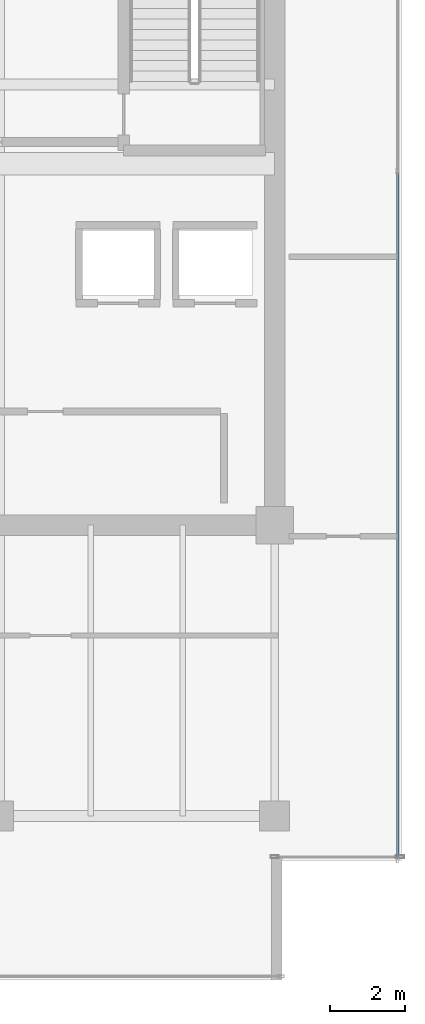
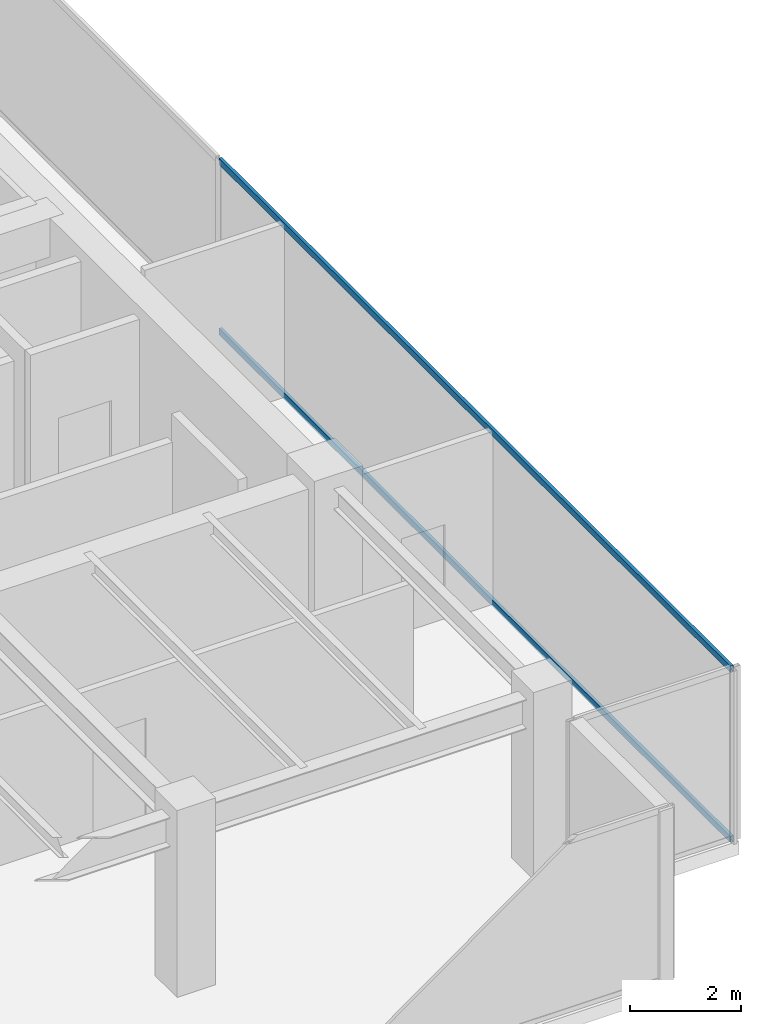
# One storey, part 23 of 33: 2 members, 1 element without a shape of its own.
"""IFC4 building model written with IfcOpenShell, lengths in metres."""

from ifc_helpers import new_model, si_unit, direction, frame, origin, origin_2d, place, context, subcontext, project, spatial, hollow_rectangle, extrude, source, transform, mapped, material, layer, layer_set, material_profile, profile_set, type_object, type_shapes, element, aggregate, save


model = new_model("IFC4")

# Units and contexts
model_context = context("Model", 3, precision=1e-05, world=origin(), true_north=direction((0.0, 1.0)))
body_context = subcontext(model_context, "Body", "Model", "MODEL_VIEW")
ifc_project = project(units=[si_unit("LENGTHUNIT", "METRE"), si_unit("AREAUNIT", "SQUARE_METRE"), si_unit("VOLUMEUNIT", "CUBIC_METRE"), si_unit("PLANEANGLEUNIT", "RADIAN"), si_unit("MASSUNIT", "GRAM", prefix="KILO")], contexts=[model_context])

# Site, building, storey
site_placement = place(None, origin())
site = spatial("IfcSite", under=ifc_project, at=site_placement, CompositionType="ELEMENT")
building_placement = place(site_placement, origin())
building = spatial("IfcBuilding", under=site, at=building_placement, Name="Haelvirn Gate Laboratories", CompositionType="ELEMENT")
storey_placement = place(building_placement, frame((0.0, 0.0, 213.699951171875)))
storey = spatial("IfcBuildingStorey", under=building, at=storey_placement, Name="L51", CompositionType="ELEMENT", Elevation=213.699951171875)

# Curtain wall, members
ifc_material_1 = material(Name="Anodised bronze unitised aluminium & triple low-E glass", Category="aluminium")
ifc_layer = layer(ifc_material_1, 0.176025390625, Name="CW-SYS-4")
ifc_layer_set = layer_set([ifc_layer], Name="Anodised bronze unitised aluminium & triple low-E glass")
curtain_wall_type = type_object("IfcCurtainWallType", Name="CW-SYS-4", PredefinedType="NOTDEFINED", material=ifc_layer_set)
curtain_wall_placement = place(storey_placement, origin())
curtain_wall = element("IfcCurtainWall", 1, at=curtain_wall_placement, inside=storey, type_object=curtain_wall_type, Name="L51 Unitised Curtain Wall CW-L51-P0-E07", PredefinedType="NOTDEFINED")
ifc_material_2 = material(Name="Extruded aluminium 6063-T6 (anodised bronze)", Category="aluminium")
ifc_material_profile = material_profile(ifc_material_2, hollow_rectangle(XDim=0.06494140625, YDim=0.139892578125, WallThickness=0.00390625, at=origin_2d()), Name="CWT-140x65x4")
ifc_profile_set = profile_set([ifc_material_profile], Name="Extruded aluminium 6063-T6 (anodised bronze)")
member_type = type_object("IfcMemberType", Name="CWT-T140", PredefinedType="USERDEFINED", material=ifc_profile_set)
shared_shape = source(origin(), body_context, "Body", "SweptSolid", [
    extrude(hollow_rectangle(XDim=0.06494140625, YDim=0.139892578125, WallThickness=0.00390625, at=origin_2d()), origin(), (0.0, 0.0, 1.0), 18.394775390625),
])
type_shapes(member_type, [shared_shape])
member_1_placement = place(storey_placement, frame((70.699951171875, 5.8701171875, 0.032470703125), z_axis=(0.0, 1.0, 0.0), x_axis=(-1.0, 0.0, 0.0)))
member_1 = element("IfcMember", 2, at=member_1_placement, type_object=member_type, Name="CW4 transom 1.1", ObjectType="TRANSOM", PredefinedType="USERDEFINED", context=body_context, shape_type="MappedRepresentation", body=[
    mapped(shared_shape, transform((0.0, 0.0, 0.0), scale=1.0)),
])
member_2_placement = place(storey_placement, frame((70.699951171875, 5.8701171875, 3.767578125), z_axis=(0.0, 1.0, 0.0), x_axis=(-1.0, 0.0, 0.0)))
member_2 = element("IfcMember", 3, at=member_2_placement, type_object=member_type, Name="CW4 transom 1.2", ObjectType="TRANSOM", PredefinedType="USERDEFINED", context=body_context, shape_type="MappedRepresentation", body=[
    mapped(shared_shape, transform((0.0, 0.0, 0.0), scale=1.0)),
])
aggregate(curtain_wall, [member_1, member_2])

save(model, "model.ifc")
